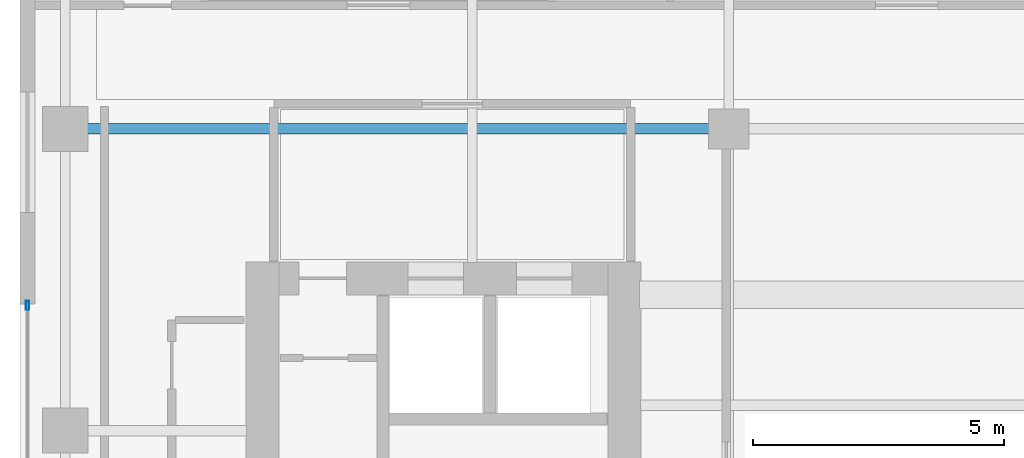
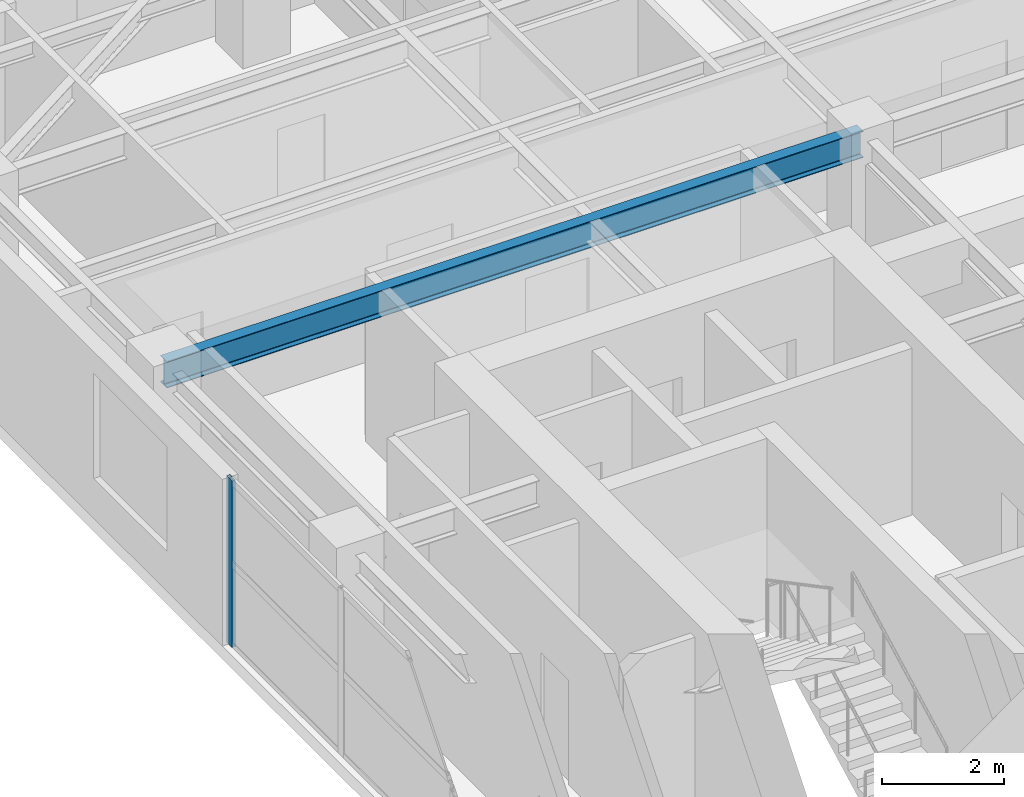
# One storey, part 4 of 15: 1 beam, 1 member, 1 element without a shape of its own.
"""IFC4 building model written with IfcOpenShell, lengths in metres."""

import ifcopenshell
import ifcopenshell.guid

model = None  # the IFC model being written
_history = None  # IfcOwnerHistory: only IFC2X3 demands one
_inside = {}  # id of a spatial element -> (the spatial element, [elements in it])
_under = {}  # id of a project, library or spatial element -> (it, [spatial elements below it])
_declared = {}  # id of a project -> (the project, [libraries it declares])
_typed = {}  # id of a type object -> (the type object, [elements of that type])
_made_of = {}  # id of a material, layer set ... -> (it, [elements and type objects made of it])


def new_model(schema):
    """Start an empty IFC model of exactly this schema.

    Asked for "IFC4X3", IfcOpenShell would pick the latest addendum, in which some entities
    have other attributes; the version numbers below select the first issue.
    IFC2X3 requires an IfcOwnerHistory on every rooted entity: one is made here for all.
    """
    global model, _history
    if schema == "IFC4X3":
        model = ifcopenshell.file(schema_version=(4, 3, 0, 0))
    else:
        model = ifcopenshell.file(schema=schema)
    _inside.clear()
    _under.clear()
    _declared.clear()
    _typed.clear()
    _made_of.clear()
    _history = None
    if model.schema == "IFC2X3":
        org = make("IfcOrganization", Name="unknown")
        user = make(
            "IfcPersonAndOrganization",
            ThePerson=make("IfcPerson", FamilyName="unknown"),
            TheOrganization=org,
        )
        app = make(
            "IfcApplication",
            ApplicationDeveloper=org,
            Version="unknown",
            ApplicationFullName="unknown",
            ApplicationIdentifier="unknown",
        )
        _history = make(
            "IfcOwnerHistory",
            OwningUser=user,
            OwningApplication=app,
            ChangeAction="ADDED",
            CreationDate=0,
        )
    return model


def make(cls, **values):
    """One entity of the class cls with the attributes given. An attribute that is None is left unset."""
    return model.create_entity(
        cls, **{name: value for name, value in values.items() if value is not None}
    )


def rooted(cls, **values):
    """An entity with a GlobalId (a new one), such as an element, a storey or a relation."""
    return make(cls, GlobalId=ifcopenshell.guid.new(), OwnerHistory=_history, **values)


def si_unit(unit_type, name, prefix=None):
    """IfcSIUnit, for example si_unit("LENGTHUNIT", "METRE", prefix="MILLI")."""
    return make("IfcSIUnit", UnitType=unit_type, Prefix=prefix, Name=name)


def assignment(units):
    """IfcUnitAssignment: the units of a project."""
    return None if units is None else make("IfcUnitAssignment", Units=units)


def point(xyz):
    """IfcCartesianPoint."""
    return None if xyz is None else make("IfcCartesianPoint", Coordinates=xyz)


def direction(xyz):
    """IfcDirection."""
    return None if xyz is None else make("IfcDirection", DirectionRatios=xyz)


def frame(location, z_axis=None, x_axis=None):
    """IfcAxis2Placement3D, a coordinate frame: its origin and axes. An axis left out is left unset."""
    return make(
        "IfcAxis2Placement3D",
        Location=point(location),
        Axis=direction(z_axis),
        RefDirection=direction(x_axis),
    )


def frame_2d(location, x_axis=None):
    """IfcAxis2Placement2D, a coordinate frame in the plane: its origin and x axis."""
    return make(
        "IfcAxis2Placement2D", Location=point(location), RefDirection=direction(x_axis)
    )


def origin():
    """The frame at (0, 0, 0) with its axes left unset."""
    return frame((0.0, 0.0, 0.0))


def origin_2d():
    """The frame at (0, 0) in the plane with its x axis left unset."""
    return frame_2d((0.0, 0.0))


def place(relative_to, where):
    """IfcLocalPlacement: puts the frame where relative to a parent placement (None: the world)."""
    return make(
        "IfcLocalPlacement", PlacementRelTo=relative_to, RelativePlacement=where
    )


def context(
    kind, dimensions, precision=None, world=None, true_north=None, identifier=None
):
    """IfcGeometricRepresentationContext, for example the 3D "Model" context."""
    return make(
        "IfcGeometricRepresentationContext",
        ContextIdentifier=identifier,
        ContextType=kind,
        CoordinateSpaceDimension=dimensions,
        Precision=precision,
        WorldCoordinateSystem=world,
        TrueNorth=true_north,
    )


def subcontext(parent, identifier, kind, view, scale=None):
    """IfcGeometricRepresentationSubContext, for example "Body" below "Model"."""
    return make(
        "IfcGeometricRepresentationSubContext",
        ContextIdentifier=identifier,
        ContextType=kind,
        ParentContext=parent,
        TargetScale=scale,
        TargetView=view,
    )


def project(units=None, contexts=None):
    """IfcProject with its units and contexts."""
    return rooted(
        "IfcProject",
        Name="project",
        RepresentationContexts=contexts,
        UnitsInContext=assignment(units),
    )


def spatial(cls, under=None, at=None, **own):
    """A site, building, storey or space (cls), placed at a placement, below another one or the project."""
    s = rooted(cls, ObjectPlacement=at, **own)
    if under is not None:
        _under.setdefault(under.id(), (under, []))[1].append(s)
    return s


def profile(cls, at=None, kind="AREA", **sizes):
    """A parametric profile (cls). Its sizes go by their IFC names, for example OverallWidth=200.0."""
    return make(cls, ProfileType=kind, Position=at, **sizes)


def hollow_rectangle(**sizes):
    """IfcRectangleHollowProfileDef."""
    return profile("IfcRectangleHollowProfileDef", **sizes)


def i_section(**sizes):
    """IfcIShapeProfileDef."""
    return profile("IfcIShapeProfileDef", **sizes)


def extrude(swept, where, along, depth):
    """IfcExtrudedAreaSolid: the profile swept, set in the frame where, extruded along a direction by depth."""
    return make(
        "IfcExtrudedAreaSolid",
        SweptArea=swept,
        Position=where,
        ExtrudedDirection=direction(along),
        Depth=depth,
    )


def shape(context_of_items, identifier, shape_type, items):
    """IfcShapeRepresentation: the items that make up one representation, for example the "Body"."""
    return make(
        "IfcShapeRepresentation",
        ContextOfItems=context_of_items,
        RepresentationIdentifier=identifier,
        RepresentationType=shape_type,
        Items=items,
    )


def source(mapping_origin, context_of_items, identifier, shape_type, items):
    """IfcRepresentationMap: a shape defined once, which mapped items show again and again."""
    return make(
        "IfcRepresentationMap",
        MappingOrigin=mapping_origin,
        MappedRepresentation=shape(context_of_items, identifier, shape_type, items),
    )


def transform(
    local_origin,
    x_axis=None,
    y_axis=None,
    z_axis=None,
    scale=None,
    scale2=None,
    scale3=None,
    uniform=True,
):
    """IfcCartesianTransformationOperator3D, or its non-uniform kind. x_axis, y_axis, z_axis: its Axis1, 2, 3."""
    if uniform:
        return make(
            "IfcCartesianTransformationOperator3D",
            Axis1=direction(x_axis),
            Axis2=direction(y_axis),
            LocalOrigin=point(local_origin),
            Scale=scale,
            Axis3=direction(z_axis),
        )
    return make(
        "IfcCartesianTransformationOperator3DnonUniform",
        Axis1=direction(x_axis),
        Axis2=direction(y_axis),
        LocalOrigin=point(local_origin),
        Scale=scale,
        Axis3=direction(z_axis),
        Scale2=scale2,
        Scale3=scale3,
    )


def mapped(mapping_source, mapping_target):
    """IfcMappedItem: shows the shape of a source again, moved by a transform."""
    return make(
        "IfcMappedItem", MappingSource=mapping_source, MappingTarget=mapping_target
    )


def material(Name=None, Category=None):
    """IfcMaterial."""
    return make("IfcMaterial", Name=Name, Category=Category)


def layer(
    of_material, thickness, ventilated=None, Name=None, Category=None, Priority=None
):
    """IfcMaterialLayer: one layer of a wall or slab, of a material (None: an air gap)."""
    return make(
        "IfcMaterialLayer",
        Material=of_material,
        LayerThickness=thickness,
        IsVentilated=ventilated,
        Name=Name,
        Category=Category,
        Priority=Priority,
    )


def layer_set(layers, Name=None):
    """IfcMaterialLayerSet."""
    return make("IfcMaterialLayerSet", MaterialLayers=layers, LayerSetName=Name)


def material_profile(
    of_material, cross_section, Name=None, Category=None, Priority=None
):
    """IfcMaterialProfile: a cross section and its material."""
    return make(
        "IfcMaterialProfile",
        Name=Name,
        Material=of_material,
        Profile=cross_section,
        Priority=Priority,
        Category=Category,
    )


def profile_set(profiles, Name=None, composite=None):
    """IfcMaterialProfileSet."""
    return make(
        "IfcMaterialProfileSet",
        Name=Name,
        MaterialProfiles=profiles,
        CompositeProfile=composite,
    )


def made_of(thing, what):
    """Note that an element or type object is made of a material, layer set ...; save() writes the relation."""
    if what is not None:
        _made_of.setdefault(what.id(), (what, []))[1].append(thing)
    return thing


def type_object(cls, material=None, **own):
    """A type object (cls), such as IfcWallType, which elements share."""
    return made_of(rooted(cls, **own), material)


def element(
    cls,
    number,
    at=None,
    inside=None,
    cuts=None,
    type_object=None,
    material=None,
    context=None,
    identifier="Body",
    shape_type=None,
    held_by="IfcProductDefinitionShape",
    body=None,
    shapes=None,
    **own,
):
    """One element of the class cls, such as IfcWall. Its Tag is "e" and its number.

    at: its placement. inside: the storey or other place that contains it. cuts: it is an
    opening in that element (IfcRelVoidsElement). A single representation is given by context,
    identifier, shape_type and body (its items); several are given by shapes. held_by: the class
    of the entity that holds the representations. save() writes the other relations.
    """
    e = rooted(cls, Tag="e%d" % number, ObjectPlacement=at, **own)
    if body is not None:
        shapes = [shape(context, identifier, shape_type, body)]
    if shapes is not None:
        e.Representation = make(held_by, Representations=shapes)
    if inside is not None:
        _inside.setdefault(inside.id(), (inside, []))[1].append(e)
    if cuts is not None:
        rooted(
            "IfcRelVoidsElement", RelatingBuildingElement=cuts, RelatedOpeningElement=e
        )
    if type_object is not None:
        _typed.setdefault(type_object.id(), (type_object, []))[1].append(e)
    return made_of(e, material)


def aggregate(whole, parts):
    """IfcRelAggregates: a whole, such as a stair, and the parts it consists of."""
    return rooted("IfcRelAggregates", RelatingObject=whole, RelatedObjects=parts)


def save(model, path):
    """Write the relations noted so far, then the file.

    IfcRelAggregates (storeys below a building ...), IfcRelContainedInSpatialStructure (elements
    in a storey), IfcRelDefinesByType, IfcRelAssociatesMaterial and IfcRelDeclares: one each for
    every whole, place, type object, material and project.
    """
    for whole, parts in _under.values():
        aggregate(whole, parts)
    for where, things in _inside.values():
        rooted(
            "IfcRelContainedInSpatialStructure",
            RelatedElements=things,
            RelatingStructure=where,
        )
    for kind, things in _typed.values():
        rooted("IfcRelDefinesByType", RelatedObjects=things, RelatingType=kind)
    for what, things in _made_of.values():
        rooted("IfcRelAssociatesMaterial", RelatedObjects=things, RelatingMaterial=what)
    for by, libraries in _declared.values():
        rooted("IfcRelDeclares", RelatingContext=by, RelatedDefinitions=libraries)
    model.write(path)


model = new_model("IFC4")

# Units and contexts
model_context = context("Model", 3, precision=1e-05, world=origin(), true_north=direction((0.0, 1.0)))
body_context = subcontext(model_context, "Body", "Model", "MODEL_VIEW")
ifc_project = project(units=[si_unit("LENGTHUNIT", "METRE"), si_unit("AREAUNIT", "SQUARE_METRE"), si_unit("VOLUMEUNIT", "CUBIC_METRE"), si_unit("PLANEANGLEUNIT", "RADIAN"), si_unit("MASSUNIT", "GRAM", prefix="KILO")], contexts=[model_context])

# Site, building, storey
site_placement = place(None, origin())
site = spatial("IfcSite", under=ifc_project, at=site_placement, CompositionType="ELEMENT")
building_placement = place(site_placement, origin())
building = spatial("IfcBuilding", under=site, at=building_placement, Name="Khoralis Quay Care Tower", CompositionType="ELEMENT")
storey_placement = place(building_placement, frame((0.0, 0.0, 162.89990234375)))
storey = spatial("IfcBuildingStorey", under=building, at=storey_placement, Name="L42", CompositionType="ELEMENT", Elevation=162.89990234375)

# Beam
ifc_material_1 = material(Name="Steel S355", Category="steel")
ifc_material_profile_1 = material_profile(ifc_material_1, i_section(OverallWidth=0.208984375, OverallDepth=0.532958984375, WebThickness=0.01025390625, FlangeThickness=0.015625, FilletRadius=0.01611328125, at=origin_2d()), Name="Steel S355")
ifc_profile_set_1 = profile_set([ifc_material_profile_1], Name="Steel S355")
beam_type = type_object("IfcBeamType", Name="BM-W530X92", PredefinedType="BEAM", material=ifc_profile_set_1)
shared_shape_1 = source(origin(), body_context, "Body", "SweptSolid", [
    extrude(i_section(OverallWidth=0.208984375, OverallDepth=0.532958984375, WebThickness=0.01025390625, FlangeThickness=0.015625, FilletRadius=0.01611328125, at=origin_2d()), origin(), (0.0, 0.0, 1.0), 13.2001953125),
])
beam_placement = place(storey_placement, frame((3.89990234375, 30.0, 3.073486328125), z_axis=(1.0, 0.0, 0.0), x_axis=(0.0, 1.0, 0.0)))
element("IfcBeam", 1, at=beam_placement, inside=storey, type_object=beam_type, Name="BM-TGXW-L42-300", PredefinedType="BEAM", context=body_context, shape_type="MappedRepresentation", body=[
    mapped(shared_shape_1, transform((0.0, 0.0, 0.0), scale=1.0)),
])

# Curtain wall, member
ifc_material_2 = material(Name="Pale anodised aluminium", Category="aluminium")
ifc_layer = layer(ifc_material_2, 0.159912109375)
ifc_layer_set = layer_set([ifc_layer], Name="Pale anodised aluminium")
curtain_wall_type = type_object("IfcCurtainWallType", Name="CW-SYS-Z3", PredefinedType="NOTDEFINED", material=ifc_layer_set)
curtain_wall_placement = place(storey_placement, origin())
curtain_wall = element("IfcCurtainWall", 2, at=curtain_wall_placement, inside=storey, type_object=curtain_wall_type, Name="L42 Unitised Curtain Wall CW-L42-P1-E15", PredefinedType="NOTDEFINED")
ifc_material_profile_2 = material_profile(ifc_material_2, hollow_rectangle(XDim=0.06494140625, YDim=0.179931640625, WallThickness=0.00390625, at=origin_2d()), Name="Pale anodised aluminium")
ifc_profile_set_2 = profile_set([ifc_material_profile_2], Name="Pale anodised aluminium")
member_type = type_object("IfcMemberType", Name="CW-MUL-180", PredefinedType="MULLION", material=ifc_profile_set_2)
shared_shape_2 = source(origin(), body_context, "Body", "SweptSolid", [
    extrude(hollow_rectangle(XDim=0.06494140625, YDim=0.179931640625, WallThickness=0.00390625, at=origin_2d()), origin(), (0.0, 0.0, 1.0), 3.340087890625),
])
member_placement = place(storey_placement, frame((3.14990234375, 26.489990234375, 0.0), z_axis=(0.0, 0.0, 1.0), x_axis=(1.0, 0.0, 0.0)))
member = element("IfcMember", 3, at=member_placement, type_object=member_type, Name="CW3 mullion 1", PredefinedType="MULLION", context=body_context, shape_type="MappedRepresentation", body=[
    mapped(shared_shape_2, transform((0.0, 0.0, 0.0), scale=1.0)),
])
aggregate(curtain_wall, [member])

save(model, "model.ifc")
